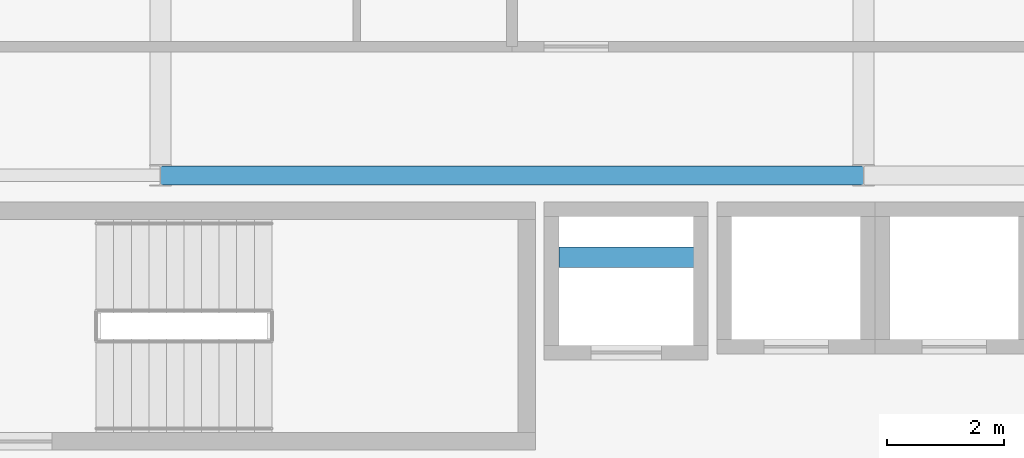
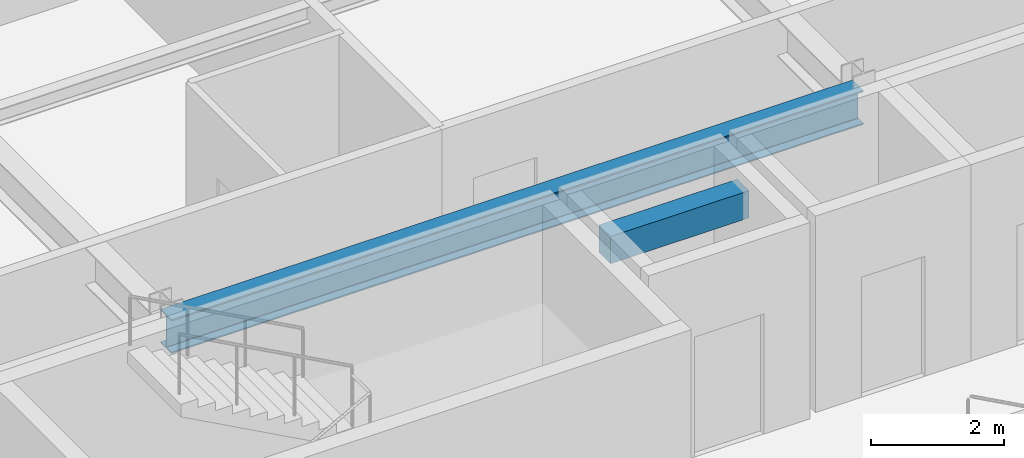
# One storey, part 7 of 22: 2 beams.
"""IFC4 building model written with IfcOpenShell, lengths in metres."""

from ifc_helpers import new_model, si_unit, direction, frame, origin, origin_2d, place, context, subcontext, project, spatial, rectangle, i_section, extrude, material, material_profile, profile_set, type_object, element, save


model = new_model("IFC4")

# Units and contexts
model_context = context("Model", 3, precision=1e-05, world=origin(), true_north=direction((0.0, 1.0)))
body_context = subcontext(model_context, "Body", "Model", "MODEL_VIEW")
ifc_project = project(units=[si_unit("LENGTHUNIT", "METRE"), si_unit("AREAUNIT", "SQUARE_METRE"), si_unit("VOLUMEUNIT", "CUBIC_METRE"), si_unit("PLANEANGLEUNIT", "RADIAN"), si_unit("MASSUNIT", "GRAM", prefix="KILO")], contexts=[model_context])

# Site, building, storey
site_placement = place(None, origin())
site = spatial("IfcSite", under=ifc_project, at=site_placement, CompositionType="ELEMENT")
building_placement = place(site_placement, origin())
building = spatial("IfcBuilding", under=site, at=building_placement, Name="Kaldorvane Square Convention Centre", CompositionType="ELEMENT")
storey_placement = place(building_placement, frame((0.0, 0.0, 67.19999694824219)))
storey = spatial("IfcBuildingStorey", under=building, at=storey_placement, Name="L16", CompositionType="ELEMENT", Elevation=67.19999694824219)

# Beams
ifc_material_1 = material(Name="Steel ASTM A992 Gr. 50", Category="steel")
ifc_material_profile_1 = material_profile(ifc_material_1, i_section(OverallWidth=0.326507568359375, OverallDepth=0.621795654296875, WebThickness=0.0153961181640625, FlangeThickness=0.0243988037109375, FilletRadius=0.0126953125, at=origin_2d()), Name="W24X131")
ifc_profile_set_1 = profile_set([ifc_material_profile_1], Name="Steel ASTM A992 Gr. 50")
beam_type_1 = type_object("IfcBeamType", Name="BM-GR-W24X131", PredefinedType="BEAM", material=ifc_profile_set_1)
beam_1_placement = place(storey_placement, frame((42.0, 105.0, 2.9651031494140625), z_axis=(1.0, 0.0, 0.0), x_axis=(0.0, 1.0, 0.0)))
element("IfcBeam", 1, at=beam_1_placement, inside=storey, type_object=beam_type_1, Name="Primary Girder (L16)", PredefinedType="BEAM", context=body_context, shape_type="SweptSolid", body=[
    extrude(i_section(OverallWidth=0.326507568359375, OverallDepth=0.621795654296875, WebThickness=0.0153961181640625, FlangeThickness=0.0243988037109375, FilletRadius=0.0126953125, at=origin_2d()), origin(), (0.0, 0.0, 1.0), 12.0),
])
ifc_material_2 = material(Name="Concrete f'c = 42 MPa (Normalweight)", Category="concrete")
ifc_material_profile_2 = material_profile(ifc_material_2, rectangle(XDim=0.350006103515625, YDim=0.5, at=origin_2d()), Name="RCLN500X350")
ifc_profile_set_2 = profile_set([ifc_material_profile_2], Name="Concrete f'c = 42 MPa (Normalweight)")
beam_type_2 = type_object("IfcBeamType", Name="BM-LN-RC500", PredefinedType="LINTEL", material=ifc_profile_set_2)
beam_2_placement = place(storey_placement, frame((48.80000305175781, 103.60000610351562, 3.0279998779296875), z_axis=(1.0, 0.0, 0.0), x_axis=(0.0, 1.0, 0.0)))
element("IfcBeam", 2, at=beam_2_placement, inside=storey, type_object=beam_type_2, Name="Core Coupling Lintel W (L16)", PredefinedType="LINTEL", context=body_context, shape_type="SweptSolid", body=[
    extrude(rectangle(XDim=0.350006103515625, YDim=0.5, at=origin_2d()), origin(), (0.0, 0.0, 1.0), 2.399993896484375),
])

save(model, "model.ifc")
